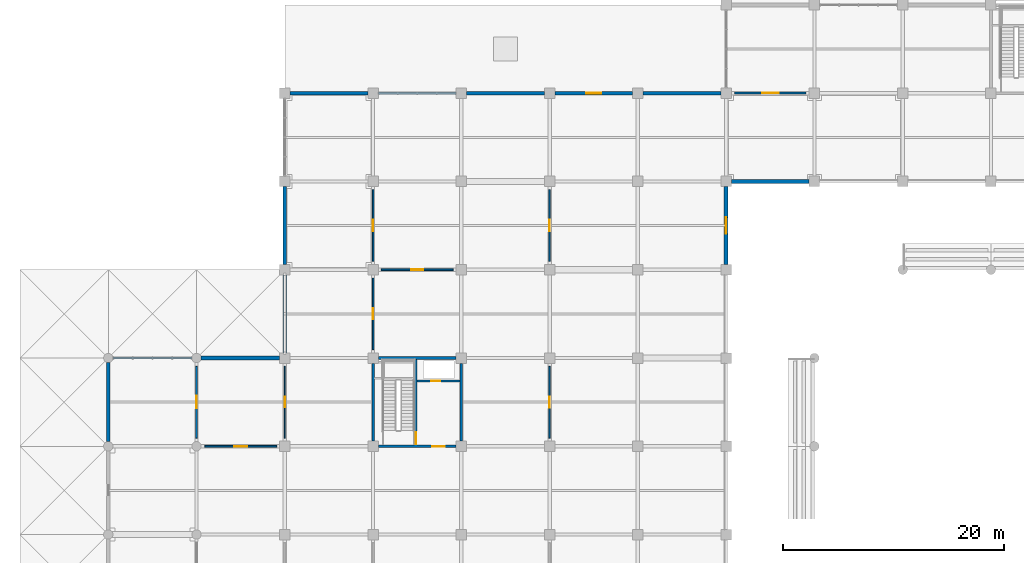
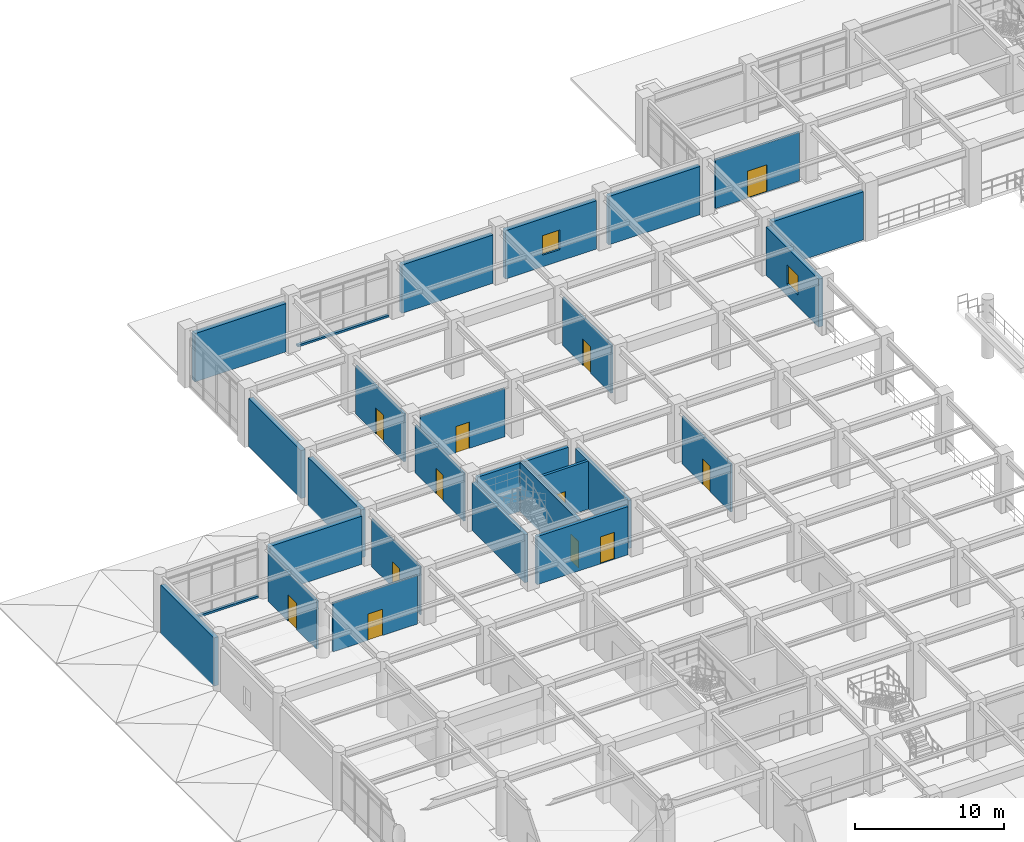
# One storey, part 79 of 109: 27 walls, 12 doors, 2 windows, 14 openings.
"""IFC4 building model written with IfcOpenShell, lengths in metres."""

from ifc_helpers import new_model, si_unit, direction, frame, frame_2d, origin, place, context, subcontext, project, spatial, rectangle, extrude, material, layer, layer_set, type_object, element, fill, save


model = new_model("IFC4")

# Units and contexts
model_context = context("Model", 3, precision=1e-05, world=origin(), true_north=direction((0.0, 1.0)))
body_context = subcontext(model_context, "Body", "Model", "MODEL_VIEW")
ifc_project = project(units=[si_unit("LENGTHUNIT", "METRE"), si_unit("AREAUNIT", "SQUARE_METRE"), si_unit("VOLUMEUNIT", "CUBIC_METRE"), si_unit("PLANEANGLEUNIT", "RADIAN"), si_unit("MASSUNIT", "GRAM", prefix="KILO")], contexts=[model_context])

# Site, building, storey
site_placement = place(None, origin())
site = spatial("IfcSite", under=ifc_project, at=site_placement, CompositionType="ELEMENT")
building_placement = place(site_placement, origin())
building = spatial("IfcBuilding", under=site, at=building_placement, Name="Haebicheon Civic Stadium", CompositionType="ELEMENT")
storey_placement = place(building_placement, frame((0.0, 0.0, 9.60009765625)))
storey = spatial("IfcBuildingStorey", under=building, at=storey_placement, Name="L03", CompositionType="ELEMENT", Elevation=9.60009765625)

# Wall, opening, door
ifc_material_1 = material(Name="Concrete C40/50", Category="concrete")
ifc_layer_1 = layer(ifc_material_1, 0.239990234375, Name="Concrete C40/50")
ifc_layer_set_1 = layer_set([ifc_layer_1], Name="Concrete C40/50")
wall_type_1 = type_object("IfcWallType", Name="CW-SHR-240", PredefinedType="SHEAR", material=ifc_layer_set_1)
wall_1_placement = place(storey_placement, frame((32.47509765625, 128.0, 0.0), z_axis=(0.0, 0.0, 1.0), x_axis=(1.0, 0.0, 0.0)))
wall_1 = element("IfcWall", 1, at=wall_1_placement, inside=storey, type_object=wall_type_1, material=ifc_layer_set_1, Name="KC-05 L03 south core shear wall", PredefinedType="SHEAR", context=body_context, shape_type="SweptSolid", body=[
    extrude(rectangle(XDim=7.0498046875, YDim=0.239990234375, at=frame_2d((3.52490234375, 0.0))), origin(), (0.0, 0.0, 1.0), 3.929931640625),
])
opening_1_placement = place(wall_1_placement, frame((4.89990234375, 0.0, 0.0)))
opening_1 = element("IfcOpeningElement", 2, at=opening_1_placement, cuts=wall_1, Name="Opening D-L03-KC-05-LOB", PredefinedType="OPENING", context=body_context, shape_type="SweptSolid", body=[
    extrude(rectangle(XDim=1.10009765625, YDim=2.199951171875, at=frame_2d((0.550048828125, 1.10009765625))), frame((0.0, 0.1298828125, 0.0), z_axis=(0.0, -1.0, 0.0), x_axis=(1.0, 0.0, 0.0)), (0.0, 0.0, 1.0), 0.260009765625),
])
ifc_material_2 = material(Name="Galvanised painted steel SM355", Category="steel")
door_type_1 = type_object("IfcDoorType", Name="ID-FD-1100", OperationType="NOTDEFINED", PredefinedType="DOOR", material=ifc_material_2)
door_1_placement = place(opening_1_placement, origin())
door_1 = element("IfcDoor", 3, at=door_1_placement, inside=storey, type_object=door_type_1, material=ifc_material_2, Name="L03 KC-05 lobby fire door", OperationType="SINGLE_SWING_LEFT", OverallHeight=2.199951171875, OverallWidth=1.10009765625, PredefinedType="DOOR", context=body_context, shape_type="SweptSolid", body=[
    extrude(rectangle(XDim=1.10009765625, YDim=2.199951171875, at=frame_2d((0.550048828125, 1.10009765625))), frame((0.0, 0.02490234375, 0.0), z_axis=(0.0, -1.0, 0.0), x_axis=(1.0, 0.0, 0.0)), (0.0, 0.0, 1.0), 0.050048828125),
])
fill(opening_1, door_1)

# Walls
for number, where, z_axis, x_axis, name in (
    (4, (32.47509765625, 136.0, 0.0), (0.0, 0.0, 1.0), (1.0, 0.0, 0.0), "KC-05 L03 north core shear wall"),
    (5, (32.0, 128.47509765625, 0.0), (0.0, 0.0, 1.0), (0.0, 1.0, 0.0), "KC-05 L03 west core shear wall"),
    (6, (40.0, 128.47509765625, 0.0), (0.0, 0.0, 1.0), (0.0, 1.0, 0.0), "KC-05 L03 east core shear wall"),
):
    element("IfcWall", number, at=place(storey_placement, frame(where, z_axis=z_axis, x_axis=x_axis)), inside=storey, type_object=wall_type_1, material=ifc_layer_set_1, Name=name, PredefinedType="SHEAR", context=body_context, shape_type="SweptSolid", body=[
        extrude(rectangle(XDim=7.0498046875, YDim=0.239990234375, at=frame_2d((3.52490234375, 0.0))), origin(), (0.0, 0.0, 1.0), 3.929931640625),
    ])

# Wall, opening, door
wall_2_placement = place(storey_placement, frame((35.8798828125, 128.1201171875, 0.0), z_axis=(0.0, 0.0, 1.0), x_axis=(0.0, 1.0, 0.0)))
wall_2 = element("IfcWall", 7, at=wall_2_placement, inside=storey, type_object=wall_type_1, material=ifc_layer_set_1, Name="KC-05 L03 stair-lobby dividing shear wall", PredefinedType="SHEAR", context=body_context, shape_type="SweptSolid", body=[
    extrude(rectangle(XDim=7.759765625, YDim=0.239990234375, at=frame_2d((3.8798828125, 0.0))), origin(), (0.0, 0.0, 1.0), 4.02978515625),
])
opening_2_placement = place(wall_2_placement, frame((0.080078125, 0.0, 0.0)))
opening_2 = element("IfcOpeningElement", 8, at=opening_2_placement, cuts=wall_2, Name="Opening D-L03-KC-05-STR", PredefinedType="OPENING", context=body_context, shape_type="SweptSolid", body=[
    extrude(rectangle(XDim=1.050048828125, YDim=2.14990234375, at=frame_2d((0.52490234375, 1.074951171875))), frame((0.0, 0.1298828125, 0.0), z_axis=(0.0, -1.0, 0.0), x_axis=(1.0, 0.0, 0.0)), (0.0, 0.0, 1.0), 0.260009765625),
])
ifc_material_3 = material(Name="Galvanised painted steel SM355", Category="steel")
door_type_2 = type_object("IfcDoorType", Name="ID-FD-1050", OperationType="NOTDEFINED", PredefinedType="DOOR", material=ifc_material_3)
door_2_placement = place(opening_2_placement, origin())
door_2 = element("IfcDoor", 9, at=door_2_placement, inside=storey, type_object=door_type_2, material=ifc_material_3, Name="L03 ST-05 stairwell escape door", OperationType="SINGLE_SWING_RIGHT", OverallHeight=2.14990234375, OverallWidth=1.050048828125, PredefinedType="DOOR", context=body_context, shape_type="SweptSolid", body=[
    extrude(rectangle(XDim=1.050048828125, YDim=2.14990234375, at=frame_2d((0.52490234375, 1.074951171875))), frame((0.0, 0.02490234375, 0.0), z_axis=(0.0, -1.0, 0.0), x_axis=(1.0, 0.0, 0.0)), (0.0, 0.0, 1.0), 0.050048828125),
])
fill(opening_2, door_2)

# Walls
ifc_material_4 = material(Name="Concrete C40/50", Category="concrete")
ifc_layer_2 = layer(ifc_material_4, 0.35009765625, Name="Concrete C40/50")
ifc_layer_set_2 = layer_set([ifc_layer_2], Name="Concrete C40/50")
wall_type_2 = type_object("IfcWallType", Name="EW-BM-350", PredefinedType="SOLIDWALL", material=ifc_layer_set_2)
wall_3_placement = place(storey_placement, frame((8.0, 128.425048828125, 0.0), z_axis=(0.0, 0.0, 1.0), x_axis=(0.0, 1.0, 0.0)))
element("IfcWall", 10, at=wall_3_placement, inside=storey, type_object=wall_type_2, material=ifc_layer_set_2, Name="L03 board-marked concrete facade wall 01-16-W", PredefinedType="SOLIDWALL", context=body_context, shape_type="SweptSolid", body=[
    extrude(rectangle(XDim=7.14990234375, YDim=0.35009765625, at=frame_2d((3.574951171875, 0.0))), origin(), (0.0, 0.0, 1.0), 3.949951171875),
])
wall_4_placement = place(storey_placement, frame((16.425048828125, 136.0, 0.0), z_axis=(0.0, 0.0, 1.0), x_axis=(1.0, 0.0, 0.0)))
element("IfcWall", 11, at=wall_4_placement, inside=storey, type_object=wall_type_2, material=ifc_layer_set_2, Name="L03 board-marked concrete facade wall 02-17-N", PredefinedType="SOLIDWALL", context=body_context, shape_type="SweptSolid", body=[
    extrude(rectangle(XDim=7.099853515625, YDim=0.35009765625, at=frame_2d((3.5498046875, 0.0))), origin(), (0.0, 0.0, 1.0), 3.929931640625),
])
for number, where, z_axis, x_axis, name in (
    (12, (24.0, 136.47509765625, 0.0), (0.0, 0.0, 1.0), (0.0, 1.0, 0.0), "L03 board-marked concrete facade wall 03-17-W"),
    (13, (24.0, 144.47509765625, 0.0), (0.0, 0.0, 1.0), (0.0, 1.0, 0.0), "L03 board-marked concrete facade wall 03-18-W"),
):
    element("IfcWall", number, at=place(storey_placement, frame(where, z_axis=z_axis, x_axis=x_axis)), inside=storey, type_object=wall_type_2, material=ifc_layer_set_2, Name=name, PredefinedType="SOLIDWALL", context=body_context, shape_type="SweptSolid", body=[
        extrude(rectangle(XDim=7.0498046875, YDim=0.35009765625, at=frame_2d((3.52490234375, 0.0))), origin(), (0.0, 0.0, 1.0), 3.929931640625),
    ])
for number, where, z_axis, x_axis, name in (
    (14, (24.47509765625, 160.0, 0.0), (0.0, 0.0, 1.0), (1.0, 0.0, 0.0), "L03 board-marked concrete facade wall 03-20-N"),
    (15, (40.47509765625, 160.0, 0.0), (0.0, 0.0, 1.0), (1.0, 0.0, 0.0), "L03 board-marked concrete facade wall 05-20-N"),
):
    element("IfcWall", number, at=place(storey_placement, frame(where, z_axis=z_axis, x_axis=x_axis)), inside=storey, type_object=wall_type_2, material=ifc_layer_set_2, Name=name, PredefinedType="SOLIDWALL", context=body_context, shape_type="SweptSolid", body=[
        extrude(rectangle(XDim=7.0498046875, YDim=0.35009765625, at=frame_2d((3.52490234375, 0.0))), origin(), (0.0, 0.0, 1.0), 3.949951171875),
    ])

# Wall, opening, window
wall_5_placement = place(storey_placement, frame((48.47509765625, 160.0, 0.0), z_axis=(0.0, 0.0, 1.0), x_axis=(1.0, 0.0, 0.0)))
wall_5 = element("IfcWall", 16, at=wall_5_placement, inside=storey, type_object=wall_type_2, material=ifc_layer_set_2, Name="L03 board-marked concrete facade wall 06-20-N", PredefinedType="SOLIDWALL", context=body_context, shape_type="SweptSolid", body=[
    extrude(rectangle(XDim=7.0498046875, YDim=0.35009765625, at=frame_2d((3.52490234375, 0.0))), origin(), (0.0, 0.0, 1.0), 3.949951171875),
])
opening_3_placement = place(wall_5_placement, frame((2.85009765625, 0.0, 0.949951171875)))
opening_3 = element("IfcOpeningElement", 17, at=opening_3_placement, cuts=wall_5, Name="Opening WIN-135x160", PredefinedType="OPENING", context=body_context, shape_type="SweptSolid", body=[
    extrude(rectangle(XDim=1.35009765625, YDim=1.60009765625, at=frame_2d((0.675048828125, 0.800048828125))), frame((0.0, 0.18505859375, 0.0), z_axis=(0.0, -1.0, 0.0), x_axis=(1.0, 0.0, 0.0)), (0.0, 0.0, 1.0), 0.3701171875),
])
ifc_material_5 = material(Name="Anodised aluminium and laminated glass", Category="aluminium")
window_type_1 = type_object("IfcWindowType", Name="WIN-135x160", PartitioningType="SINGLE_PANEL", PredefinedType="WINDOW", material=ifc_material_5)
window_1_placement = place(opening_3_placement, origin())
window_1 = element("IfcWindow", 18, at=window_1_placement, inside=storey, type_object=window_type_1, material=ifc_material_5, Name="L03 facade window 070", OverallHeight=1.60009765625, OverallWidth=1.35009765625, PartitioningType="SINGLE_PANEL", PredefinedType="WINDOW", context=body_context, shape_type="SweptSolid", body=[
    extrude(rectangle(XDim=1.35009765625, YDim=1.60009765625, at=frame_2d((0.675048828125, 0.800048828125))), frame((0.0, 0.030029296875, 0.0), z_axis=(0.0, -1.0, 0.0), x_axis=(1.0, 0.0, 0.0)), (0.0, 0.0, 1.0), 0.06005859375),
])
fill(opening_3, window_1)

wall_6_placement = place(storey_placement, frame((64.0, 144.47509765625, 0.0), z_axis=(0.0, 0.0, 1.0), x_axis=(0.0, 1.0, 0.0)))
wall_6 = element("IfcWall", 19, at=wall_6_placement, inside=storey, type_object=wall_type_2, material=ifc_layer_set_2, Name="L03 board-marked concrete facade wall 08-18-E", PredefinedType="SOLIDWALL", context=body_context, shape_type="SweptSolid", body=[
    extrude(rectangle(XDim=7.0498046875, YDim=0.35009765625, at=frame_2d((3.52490234375, 0.0))), origin(), (0.0, 0.0, 1.0), 3.929931640625),
])
opening_4_placement = place(wall_6_placement, frame((2.77490234375, 0.0, 0.949951171875)))
opening_4 = element("IfcOpeningElement", 20, at=opening_4_placement, cuts=wall_6, Name="Opening WIN-150x160", PredefinedType="OPENING", context=body_context, shape_type="SweptSolid", body=[
    extrude(rectangle(XDim=1.5, YDim=1.60009765625, at=frame_2d((0.75, 0.800048828125))), frame((0.0, 0.18505859375, 0.0), z_axis=(0.0, -1.0, 0.0), x_axis=(1.0, 0.0, 0.0)), (0.0, 0.0, 1.0), 0.3701171875),
])
ifc_material_6 = material(Name="Anodised aluminium and laminated glass", Category="aluminium")
window_type_2 = type_object("IfcWindowType", Name="WIN-150x160", PartitioningType="SINGLE_PANEL", PredefinedType="WINDOW", material=ifc_material_6)
window_2_placement = place(opening_4_placement, origin())
window_2 = element("IfcWindow", 21, at=window_2_placement, inside=storey, type_object=window_type_2, material=ifc_material_6, Name="L03 facade window 071", OverallHeight=1.60009765625, OverallWidth=1.5, PartitioningType="SINGLE_PANEL", PredefinedType="WINDOW", context=body_context, shape_type="SweptSolid", body=[
    extrude(rectangle(XDim=1.5, YDim=1.60009765625, at=frame_2d((0.75, 0.800048828125))), frame((0.0, 0.030029296875, 0.0), z_axis=(0.0, -1.0, 0.0), x_axis=(1.0, 0.0, 0.0)), (0.0, 0.0, 1.0), 0.06005859375),
])
fill(opening_4, window_2)

# Walls
wall_7_placement = place(storey_placement, frame((56.47509765625, 160.0, 0.0), z_axis=(0.0, 0.0, 1.0), x_axis=(1.0, 0.0, 0.0)))
element("IfcWall", 22, at=wall_7_placement, inside=storey, type_object=wall_type_2, material=ifc_layer_set_2, Name="L03 board-marked concrete facade wall 07-20-N", PredefinedType="SOLIDWALL", context=body_context, shape_type="SweptSolid", body=[
    extrude(rectangle(XDim=7.0498046875, YDim=0.35009765625, at=frame_2d((3.52490234375, 0.0))), origin(), (0.0, 0.0, 1.0), 3.949951171875),
])
wall_8_placement = place(storey_placement, frame((64.47509765625, 152.0, 0.0), z_axis=(0.0, 0.0, 1.0), x_axis=(1.0, 0.0, 0.0)))
element("IfcWall", 23, at=wall_8_placement, inside=storey, type_object=wall_type_2, material=ifc_layer_set_2, Name="L03 board-marked concrete facade wall 08-19-S", PredefinedType="SOLIDWALL", context=body_context, shape_type="SweptSolid", body=[
    extrude(rectangle(XDim=7.0498046875, YDim=0.35009765625, at=frame_2d((3.52490234375, 0.0))), origin(), (0.0, 0.0, 1.0), 3.929931640625),
])
ifc_material_7 = material(Name="Precast concrete C40/50", Category="concrete")
ifc_layer_3 = layer(ifc_material_7, 0.219970703125, Name="Precast concrete C40/50")
ifc_layer_set_3 = layer_set([ifc_layer_3], Name="Precast concrete C40/50")
wall_type_3 = type_object("IfcWallType", Name="EW-PAR-220", PredefinedType="PARAPET", material=ifc_layer_set_3)
wall_9_placement = place(storey_placement, frame((8.425048828125, 136.0, 0.0), z_axis=(0.0, 0.0, 1.0), x_axis=(1.0, 0.0, 0.0)))
element("IfcWall", 24, at=wall_9_placement, inside=storey, type_object=wall_type_3, material=ifc_layer_set_3, Name="L03 curtain-wall concrete upstand kerb", PredefinedType="PARAPET", context=body_context, shape_type="SweptSolid", body=[
    extrude(rectangle(XDim=7.14990234375, YDim=0.219970703125, at=frame_2d((3.574951171875, 0.0))), origin(), (0.0, 0.0, 1.0), 0.159912109375),
])
wall_10_placement = place(storey_placement, frame((32.47509765625, 160.0, 0.0), z_axis=(0.0, 0.0, 1.0), x_axis=(1.0, 0.0, 0.0)))
element("IfcWall", 25, at=wall_10_placement, inside=storey, type_object=wall_type_3, material=ifc_layer_set_3, Name="L03 curtain-wall concrete upstand kerb", PredefinedType="PARAPET", context=body_context, shape_type="SweptSolid", body=[
    extrude(rectangle(XDim=7.0498046875, YDim=0.219970703125, at=frame_2d((3.52490234375, 0.0))), origin(), (0.0, 0.0, 1.0), 0.159912109375),
])

# Wall, opening, door
ifc_material_8 = material(Name="Concrete C35/45", Category="concrete")
ifc_layer_4 = layer(ifc_material_8, 0.199951171875, Name="Concrete C35/45")
ifc_layer_set_4 = layer_set([ifc_layer_4], Name="Concrete C35/45")
wall_type_4 = type_object("IfcWallType", Name="IW-FIR-200", PredefinedType="PARTITIONING", material=ifc_layer_set_4)
wall_11_placement = place(storey_placement, frame((36.0, 133.919921875, 0.0), z_axis=(0.0, 0.0, 1.0), x_axis=(1.0, 0.0, 0.0)))
wall_11 = element("IfcWall", 26, at=wall_11_placement, inside=storey, type_object=wall_type_4, material=ifc_layer_set_4, Name="KC-05 L03 service riser wall", PredefinedType="PARTITIONING", context=body_context, shape_type="SweptSolid", body=[
    extrude(rectangle(XDim=3.8798828125, YDim=0.199951171875, at=frame_2d((1.93994140625, 0.0))), origin(), (0.0, 0.0, 1.0), 3.929931640625),
])
opening_5_placement = place(wall_11_placement, frame((1.25, 0.0, 0.0)))
opening_5 = element("IfcOpeningElement", 27, at=opening_5_placement, cuts=wall_11, Name="Opening D-L03-KC-05-RSR", PredefinedType="OPENING", context=body_context, shape_type="SweptSolid", body=[
    extrude(rectangle(XDim=0.85009765625, YDim=2.050048828125, at=frame_2d((0.425048828125, 1.02490234375))), frame((0.0, 0.10986328125, 0.0), z_axis=(0.0, -1.0, 0.0), x_axis=(1.0, 0.0, 0.0)), (0.0, 0.0, 1.0), 0.219970703125),
])
ifc_material_9 = material(Name="Galvanised painted steel SM355", Category="steel")
door_type_3 = type_object("IfcDoorType", Name="ID-RSR-0850", OperationType="NOTDEFINED", PredefinedType="TRAPDOOR", material=ifc_material_9)
door_3_placement = place(opening_5_placement, origin())
door_3 = element("IfcDoor", 28, at=door_3_placement, inside=storey, type_object=door_type_3, material=ifc_material_9, Name="L03 KC-05 riser access door", OperationType="SINGLE_SWING_LEFT", OverallHeight=2.050048828125, OverallWidth=0.85009765625, PredefinedType="TRAPDOOR", context=body_context, shape_type="SweptSolid", body=[
    extrude(rectangle(XDim=0.85009765625, YDim=2.050048828125, at=frame_2d((0.425048828125, 1.02490234375))), frame((0.0, 0.02490234375, 0.0), z_axis=(0.0, -1.0, 0.0), x_axis=(1.0, 0.0, 0.0)), (0.0, 0.0, 1.0), 0.050048828125),
])
fill(opening_5, door_3)

ifc_material_10 = material(Name="Anodised aluminium and laminated glass", Category="aluminium")
ifc_layer_5 = layer(ifc_material_10, 0.10009765625, Name="Anodised aluminium and laminated glass")
ifc_layer_set_5 = layer_set([ifc_layer_5], Name="Anodised aluminium and laminated glass")
wall_type_5 = type_object("IfcWallType", Name="IW-PRT-100", PredefinedType="PARTITIONING", material=ifc_layer_set_5)
wall_12_placement = place(storey_placement, frame((24.0, 128.75, 0.0), z_axis=(0.0, 0.0, 1.0), x_axis=(0.0, 1.0, 0.0)))
wall_12 = element("IfcWall", 29, at=wall_12_placement, inside=storey, type_object=wall_type_5, material=ifc_layer_set_5, Name="L03 Club Beverage Bar partition wall", PredefinedType="PARTITIONING", context=body_context, shape_type="SweptSolid", body=[
    extrude(rectangle(XDim=6.5, YDim=0.10009765625, at=frame_2d((3.25, 0.0))), origin(), (0.0, 0.0, 1.0), 3.929931640625),
])
opening_6_placement = place(wall_12_placement, frame((2.77490234375, 0.0, 0.0)))
opening_6 = element("IfcOpeningElement", 30, at=opening_6_placement, cuts=wall_12, Name="Opening D-L03-271", PredefinedType="OPENING", context=body_context, shape_type="SweptSolid", body=[
    extrude(rectangle(XDim=0.949951171875, YDim=2.10009765625, at=frame_2d((0.47509765625, 1.050048828125))), frame((0.0, 0.06005859375, 0.0), z_axis=(0.0, -1.0, 0.0), x_axis=(1.0, 0.0, 0.0)), (0.0, 0.0, 1.0), 0.1201171875),
])
ifc_material_11 = material(Name="Engineered hardwood timber", Category="wood")
door_type_4 = type_object("IfcDoorType", Name="ID-RM-0950", OperationType="NOTDEFINED", PredefinedType="DOOR", material=ifc_material_11)
door_4_placement = place(opening_6_placement, origin())
door_4 = element("IfcDoor", 31, at=door_4_placement, inside=storey, type_object=door_type_4, material=ifc_material_11, Name="L03 Club Beverage Bar entrance door D-L03-271", OperationType="SINGLE_SWING_RIGHT", OverallHeight=2.10009765625, OverallWidth=0.949951171875, PredefinedType="DOOR", context=body_context, shape_type="SweptSolid", body=[
    extrude(rectangle(XDim=0.949951171875, YDim=2.10009765625, at=frame_2d((0.47509765625, 1.050048828125))), frame((0.0, 0.02490234375, 0.0), z_axis=(0.0, -1.0, 0.0), x_axis=(1.0, 0.0, 0.0)), (0.0, 0.0, 1.0), 0.050048828125),
])
fill(opening_6, door_4)

ifc_material_12 = material(Name="Gypsum plasterboard on steel studs", Category="gypsum")
ifc_layer_6 = layer(ifc_material_12, 0.1298828125, Name="Gypsum plasterboard on steel studs")
ifc_layer_set_6 = layer_set([ifc_layer_6], Name="Gypsum plasterboard on steel studs")
wall_type_6 = type_object("IfcWallType", Name="IW-PRT-130", PredefinedType="PARTITIONING", material=ifc_layer_set_6)
wall_13_placement = place(storey_placement, frame((32.0, 136.75, 0.0), z_axis=(0.0, 0.0, 1.0), x_axis=(0.0, 1.0, 0.0)))
wall_13 = element("IfcWall", 32, at=wall_13_placement, inside=storey, type_object=wall_type_6, material=ifc_layer_set_6, Name="L03 Club Beverage Bar partition wall", PredefinedType="PARTITIONING", context=body_context, shape_type="SweptSolid", body=[
    extrude(rectangle(XDim=6.5, YDim=0.1298828125, at=frame_2d((3.25, 0.0))), origin(), (0.0, 0.0, 1.0), 3.929931640625),
])
opening_7_placement = place(wall_13_placement, frame((2.75, 0.0, 0.0)))
opening_7 = element("IfcOpeningElement", 33, at=opening_7_placement, cuts=wall_13, Name="Opening D-L03-280", PredefinedType="OPENING", context=body_context, shape_type="SweptSolid", body=[
    extrude(rectangle(XDim=1.0, YDim=2.10009765625, at=frame_2d((0.5, 1.050048828125))), frame((0.0, 0.074951171875, 0.0), z_axis=(0.0, -1.0, 0.0), x_axis=(1.0, 0.0, 0.0)), (0.0, 0.0, 1.0), 0.14990234375),
])
ifc_material_13 = material(Name="Engineered hardwood timber", Category="wood")
door_type_5 = type_object("IfcDoorType", Name="ID-RM-1000", OperationType="NOTDEFINED", PredefinedType="DOOR", material=ifc_material_13)
door_5_placement = place(opening_7_placement, origin())
door_5 = element("IfcDoor", 34, at=door_5_placement, inside=storey, type_object=door_type_5, material=ifc_material_13, Name="L03 Club Beverage Bar entrance door D-L03-280", OperationType="SINGLE_SWING_RIGHT", OverallHeight=2.10009765625, OverallWidth=1.0, PredefinedType="DOOR", context=body_context, shape_type="SweptSolid", body=[
    extrude(rectangle(XDim=1.0, YDim=2.10009765625, at=frame_2d((0.5, 1.050048828125))), frame((0.0, 0.02490234375, 0.0), z_axis=(0.0, -1.0, 0.0), x_axis=(1.0, 0.0, 0.0)), (0.0, 0.0, 1.0), 0.050048828125),
])
fill(opening_7, door_5)

wall_14_placement = place(storey_placement, frame((48.0, 128.75, 0.0), z_axis=(0.0, 0.0, 1.0), x_axis=(0.0, 1.0, 0.0)))
wall_14 = element("IfcWall", 35, at=wall_14_placement, inside=storey, type_object=wall_type_6, material=ifc_layer_set_6, Name="L03 Club Beverage Bar partition wall", PredefinedType="PARTITIONING", context=body_context, shape_type="SweptSolid", body=[
    extrude(rectangle(XDim=6.5, YDim=0.1298828125, at=frame_2d((3.25, 0.0))), origin(), (0.0, 0.0, 1.0), 3.929931640625),
])
opening_8_placement = place(wall_14_placement, frame((2.75, 0.0, 0.0)))
opening_8 = element("IfcOpeningElement", 36, at=opening_8_placement, cuts=wall_14, Name="Opening D-L03-288", PredefinedType="OPENING", context=body_context, shape_type="SweptSolid", body=[
    extrude(rectangle(XDim=1.0, YDim=2.10009765625, at=frame_2d((0.5, 1.050048828125))), frame((0.0, 0.074951171875, 0.0), z_axis=(0.0, -1.0, 0.0), x_axis=(1.0, 0.0, 0.0)), (0.0, 0.0, 1.0), 0.14990234375),
])
door_6_placement = place(opening_8_placement, origin())
door_6 = element("IfcDoor", 37, at=door_6_placement, inside=storey, type_object=door_type_5, material=ifc_material_13, Name="L03 Club Beverage Bar entrance door D-L03-288", OperationType="SINGLE_SWING_RIGHT", OverallHeight=2.10009765625, OverallWidth=1.0, PredefinedType="DOOR", context=body_context, shape_type="SweptSolid", body=[
    extrude(rectangle(XDim=1.0, YDim=2.10009765625, at=frame_2d((0.5, 1.050048828125))), frame((0.0, 0.02490234375, 0.0), z_axis=(0.0, -1.0, 0.0), x_axis=(1.0, 0.0, 0.0)), (0.0, 0.0, 1.0), 0.050048828125),
])
fill(opening_8, door_6)

ifc_material_14 = material(Name="Gypsum plasterboard on steel studs", Category="gypsum")
ifc_layer_7 = layer(ifc_material_14, 0.14990234375, Name="Gypsum plasterboard on steel studs")
ifc_layer_set_7 = layer_set([ifc_layer_7], Name="Gypsum plasterboard on steel studs")
wall_type_7 = type_object("IfcWallType", Name="IW-PRT-150", PredefinedType="PARTITIONING", material=ifc_layer_set_7)
wall_15_placement = place(storey_placement, frame((32.0, 144.75, 0.0), z_axis=(0.0, 0.0, 1.0), x_axis=(0.0, 1.0, 0.0)))
wall_15 = element("IfcWall", 38, at=wall_15_placement, inside=storey, type_object=wall_type_7, material=ifc_layer_set_7, Name="L03 Sponsor Reception Suite partition wall", PredefinedType="PARTITIONING", context=body_context, shape_type="SweptSolid", body=[
    extrude(rectangle(XDim=6.5, YDim=0.14990234375, at=frame_2d((3.25, 0.0))), origin(), (0.0, 0.0, 1.0), 3.929931640625),
])
opening_9_placement = place(wall_15_placement, frame((2.72509765625, 0.0, 0.0)))
opening_9 = element("IfcOpeningElement", 39, at=opening_9_placement, cuts=wall_15, Name="Opening D-L03-272", PredefinedType="OPENING", context=body_context, shape_type="SweptSolid", body=[
    extrude(rectangle(XDim=1.050048828125, YDim=2.14990234375, at=frame_2d((0.52490234375, 1.074951171875))), frame((0.0, 0.0849609375, 0.0), z_axis=(0.0, -1.0, 0.0), x_axis=(1.0, 0.0, 0.0)), (0.0, 0.0, 1.0), 0.169921875),
])
ifc_material_15 = material(Name="Engineered hardwood timber", Category="wood")
door_type_6 = type_object("IfcDoorType", Name="ID-RM-1050", OperationType="NOTDEFINED", PredefinedType="DOOR", material=ifc_material_15)
door_7_placement = place(opening_9_placement, origin())
door_7 = element("IfcDoor", 40, at=door_7_placement, inside=storey, type_object=door_type_6, material=ifc_material_15, Name="L03 Sponsor Reception Suite entrance door D-L03-272", OperationType="SINGLE_SWING_LEFT", OverallHeight=2.14990234375, OverallWidth=1.050048828125, PredefinedType="DOOR", context=body_context, shape_type="SweptSolid", body=[
    extrude(rectangle(XDim=1.050048828125, YDim=2.14990234375, at=frame_2d((0.52490234375, 1.074951171875))), frame((0.0, 0.02490234375, 0.0), z_axis=(0.0, -1.0, 0.0), x_axis=(1.0, 0.0, 0.0)), (0.0, 0.0, 1.0), 0.050048828125),
])
fill(opening_9, door_7)

wall_16_placement = place(storey_placement, frame((32.75, 144.0, 0.0), z_axis=(0.0, 0.0, 1.0), x_axis=(1.0, 0.0, 0.0)))
wall_16 = element("IfcWall", 41, at=wall_16_placement, inside=storey, type_object=wall_type_7, material=ifc_layer_set_7, Name="L03 Sponsor Reception Suite partition wall", PredefinedType="PARTITIONING", context=body_context, shape_type="SweptSolid", body=[
    extrude(rectangle(XDim=6.5, YDim=0.14990234375, at=frame_2d((3.25, 0.0))), origin(), (0.0, 0.0, 1.0), 3.929931640625),
])
opening_10_placement = place(wall_16_placement, frame((2.72509765625, 0.0, 0.0)))
opening_10 = element("IfcOpeningElement", 42, at=opening_10_placement, cuts=wall_16, Name="Opening D-L03-281", PredefinedType="OPENING", context=body_context, shape_type="SweptSolid", body=[
    extrude(rectangle(XDim=1.050048828125, YDim=2.14990234375, at=frame_2d((0.52490234375, 1.074951171875))), frame((0.0, 0.0849609375, 0.0), z_axis=(0.0, -1.0, 0.0), x_axis=(1.0, 0.0, 0.0)), (0.0, 0.0, 1.0), 0.169921875),
])
door_8_placement = place(opening_10_placement, origin())
door_8 = element("IfcDoor", 43, at=door_8_placement, inside=storey, type_object=door_type_6, material=ifc_material_15, Name="L03 Sponsor Reception Suite entrance door D-L03-281", OperationType="SINGLE_SWING_LEFT", OverallHeight=2.14990234375, OverallWidth=1.050048828125, PredefinedType="DOOR", context=body_context, shape_type="SweptSolid", body=[
    extrude(rectangle(XDim=1.050048828125, YDim=2.14990234375, at=frame_2d((0.52490234375, 1.074951171875))), frame((0.0, 0.02490234375, 0.0), z_axis=(0.0, -1.0, 0.0), x_axis=(1.0, 0.0, 0.0)), (0.0, 0.0, 1.0), 0.050048828125),
])
fill(opening_10, door_8)

wall_17_placement = place(storey_placement, frame((48.0, 144.75, 0.0), z_axis=(0.0, 0.0, 1.0), x_axis=(0.0, 1.0, 0.0)))
wall_17 = element("IfcWall", 44, at=wall_17_placement, inside=storey, type_object=wall_type_7, material=ifc_layer_set_7, Name="L03 Sponsor Reception Suite partition wall", PredefinedType="PARTITIONING", context=body_context, shape_type="SweptSolid", body=[
    extrude(rectangle(XDim=6.5, YDim=0.14990234375, at=frame_2d((3.25, 0.0))), origin(), (0.0, 0.0, 1.0), 3.929931640625),
])
opening_11_placement = place(wall_17_placement, frame((2.72509765625, 0.0, 0.0)))
opening_11 = element("IfcOpeningElement", 45, at=opening_11_placement, cuts=wall_17, Name="Opening D-L03-289", PredefinedType="OPENING", context=body_context, shape_type="SweptSolid", body=[
    extrude(rectangle(XDim=1.050048828125, YDim=2.14990234375, at=frame_2d((0.52490234375, 1.074951171875))), frame((0.0, 0.0849609375, 0.0), z_axis=(0.0, -1.0, 0.0), x_axis=(1.0, 0.0, 0.0)), (0.0, 0.0, 1.0), 0.169921875),
])
door_9_placement = place(opening_11_placement, origin())
door_9 = element("IfcDoor", 46, at=door_9_placement, inside=storey, type_object=door_type_6, material=ifc_material_15, Name="L03 Sponsor Reception Suite entrance door D-L03-289", OperationType="SINGLE_SWING_LEFT", OverallHeight=2.14990234375, OverallWidth=1.050048828125, PredefinedType="DOOR", context=body_context, shape_type="SweptSolid", body=[
    extrude(rectangle(XDim=1.050048828125, YDim=2.14990234375, at=frame_2d((0.52490234375, 1.074951171875))), frame((0.0, 0.02490234375, 0.0), z_axis=(0.0, -1.0, 0.0), x_axis=(1.0, 0.0, 0.0)), (0.0, 0.0, 1.0), 0.050048828125),
])
fill(opening_11, door_9)

wall_18_placement = place(storey_placement, frame((16.0, 128.75, 0.0), z_axis=(0.0, 0.0, 1.0), x_axis=(0.0, 1.0, 0.0)))
wall_18 = element("IfcWall", 47, at=wall_18_placement, inside=storey, type_object=wall_type_7, material=ifc_layer_set_7, Name="L03 Civic Education Studio partition wall", PredefinedType="PARTITIONING", context=body_context, shape_type="SweptSolid", body=[
    extrude(rectangle(XDim=6.5, YDim=0.14990234375, at=frame_2d((3.25, 0.0))), origin(), (0.0, 0.0, 1.0), 3.969970703125),
])
opening_12_placement = place(wall_18_placement, frame((2.675048828125, 0.0, 0.0)))
opening_12 = element("IfcOpeningElement", 48, at=opening_12_placement, cuts=wall_18, Name="Opening D-L03-343", PredefinedType="OPENING", context=body_context, shape_type="SweptSolid", body=[
    extrude(rectangle(XDim=1.14990234375, YDim=2.14990234375, at=frame_2d((0.574951171875, 1.074951171875))), frame((0.0, 0.0849609375, 0.0), z_axis=(0.0, -1.0, 0.0), x_axis=(1.0, 0.0, 0.0)), (0.0, 0.0, 1.0), 0.169921875),
])
ifc_material_16 = material(Name="Engineered hardwood timber", Category="wood")
door_type_7 = type_object("IfcDoorType", Name="ID-RM-1150", OperationType="NOTDEFINED", PredefinedType="DOOR", material=ifc_material_16)
door_10_placement = place(opening_12_placement, origin())
door_10 = element("IfcDoor", 49, at=door_10_placement, inside=storey, type_object=door_type_7, material=ifc_material_16, Name="L03 Civic Education Studio entrance door D-L03-343", OperationType="SINGLE_SWING_LEFT", OverallHeight=2.14990234375, OverallWidth=1.14990234375, PredefinedType="DOOR", context=body_context, shape_type="SweptSolid", body=[
    extrude(rectangle(XDim=1.14990234375, YDim=2.14990234375, at=frame_2d((0.574951171875, 1.074951171875))), frame((0.0, 0.02490234375, 0.0), z_axis=(0.0, -1.0, 0.0), x_axis=(1.0, 0.0, 0.0)), (0.0, 0.0, 1.0), 0.050048828125),
])
fill(opening_12, door_10)

wall_19_placement = place(storey_placement, frame((16.75, 128.0, 0.0), z_axis=(0.0, 0.0, 1.0), x_axis=(1.0, 0.0, 0.0)))
wall_19 = element("IfcWall", 50, at=wall_19_placement, inside=storey, type_object=wall_type_7, material=ifc_layer_set_7, Name="L03 Civic Education Studio partition wall", PredefinedType="PARTITIONING", context=body_context, shape_type="SweptSolid", body=[
    extrude(rectangle(XDim=6.5, YDim=0.14990234375, at=frame_2d((3.25, 0.0))), origin(), (0.0, 0.0, 1.0), 3.969970703125),
])
opening_13_placement = place(wall_19_placement, frame((2.675048828125, 0.0, 0.0)))
opening_13 = element("IfcOpeningElement", 51, at=opening_13_placement, cuts=wall_19, Name="Opening D-L03-349", PredefinedType="OPENING", context=body_context, shape_type="SweptSolid", body=[
    extrude(rectangle(XDim=1.14990234375, YDim=2.14990234375, at=frame_2d((0.574951171875, 1.074951171875))), frame((0.0, 0.0849609375, 0.0), z_axis=(0.0, -1.0, 0.0), x_axis=(1.0, 0.0, 0.0)), (0.0, 0.0, 1.0), 0.169921875),
])
door_11_placement = place(opening_13_placement, origin())
door_11 = element("IfcDoor", 52, at=door_11_placement, inside=storey, type_object=door_type_7, material=ifc_material_16, Name="L03 Civic Education Studio entrance door D-L03-349", OperationType="SINGLE_SWING_LEFT", OverallHeight=2.14990234375, OverallWidth=1.14990234375, PredefinedType="DOOR", context=body_context, shape_type="SweptSolid", body=[
    extrude(rectangle(XDim=1.14990234375, YDim=2.14990234375, at=frame_2d((0.574951171875, 1.074951171875))), frame((0.0, 0.02490234375, 0.0), z_axis=(0.0, -1.0, 0.0), x_axis=(1.0, 0.0, 0.0)), (0.0, 0.0, 1.0), 0.050048828125),
])
fill(opening_13, door_11)

ifc_material_17 = material(Name="Concrete C35/45", Category="concrete")
ifc_layer_8 = layer(ifc_material_17, 0.179931640625, Name="Concrete C35/45")
ifc_layer_set_8 = layer_set([ifc_layer_8], Name="Concrete C35/45")
wall_type_8 = type_object("IfcWallType", Name="IW-PRT-180", PredefinedType="PARTITIONING", material=ifc_layer_set_8)
wall_20_placement = place(storey_placement, frame((64.75, 160.0, 0.0), z_axis=(0.0, 0.0, 1.0), x_axis=(1.0, 0.0, 0.0)))
wall_20 = element("IfcWall", 53, at=wall_20_placement, inside=storey, type_object=wall_type_8, material=ifc_layer_set_8, Name="L03 Club Finishing Kitchen partition wall", PredefinedType="PARTITIONING", context=body_context, shape_type="SweptSolid", body=[
    extrude(rectangle(XDim=6.5, YDim=0.179931640625, at=frame_2d((3.25, 0.0))), origin(), (0.0, 0.0, 1.0), 3.969970703125),
])
opening_14_placement = place(wall_20_placement, frame((2.5, 0.0, 0.0)))
opening_14 = element("IfcOpeningElement", 54, at=opening_14_placement, cuts=wall_20, Name="Opening D-L03-290", PredefinedType="OPENING", context=body_context, shape_type="SweptSolid", body=[
    extrude(rectangle(XDim=1.5, YDim=2.199951171875, at=frame_2d((0.75, 1.10009765625))), frame((0.0, 0.099853515625, 0.0), z_axis=(0.0, -1.0, 0.0), x_axis=(1.0, 0.0, 0.0)), (0.0, 0.0, 1.0), 0.199951171875),
])
ifc_material_18 = material(Name="Galvanised painted steel SM355", Category="steel")
door_type_8 = type_object("IfcDoorType", Name="ID-FD-1500", OperationType="NOTDEFINED", PredefinedType="DOOR", material=ifc_material_18)
door_12_placement = place(opening_14_placement, origin())
door_12 = element("IfcDoor", 55, at=door_12_placement, inside=storey, type_object=door_type_8, material=ifc_material_18, Name="L03 Club Finishing Kitchen entrance door D-L03-290", OperationType="SINGLE_SWING_RIGHT", OverallHeight=2.199951171875, OverallWidth=1.5, PredefinedType="DOOR", context=body_context, shape_type="SweptSolid", body=[
    extrude(rectangle(XDim=1.5, YDim=2.199951171875, at=frame_2d((0.75, 1.10009765625))), frame((0.0, 0.02490234375, 0.0), z_axis=(0.0, -1.0, 0.0), x_axis=(1.0, 0.0, 0.0)), (0.0, 0.0, 1.0), 0.050048828125),
])
fill(opening_14, door_12)

save(model, "model.ifc")
